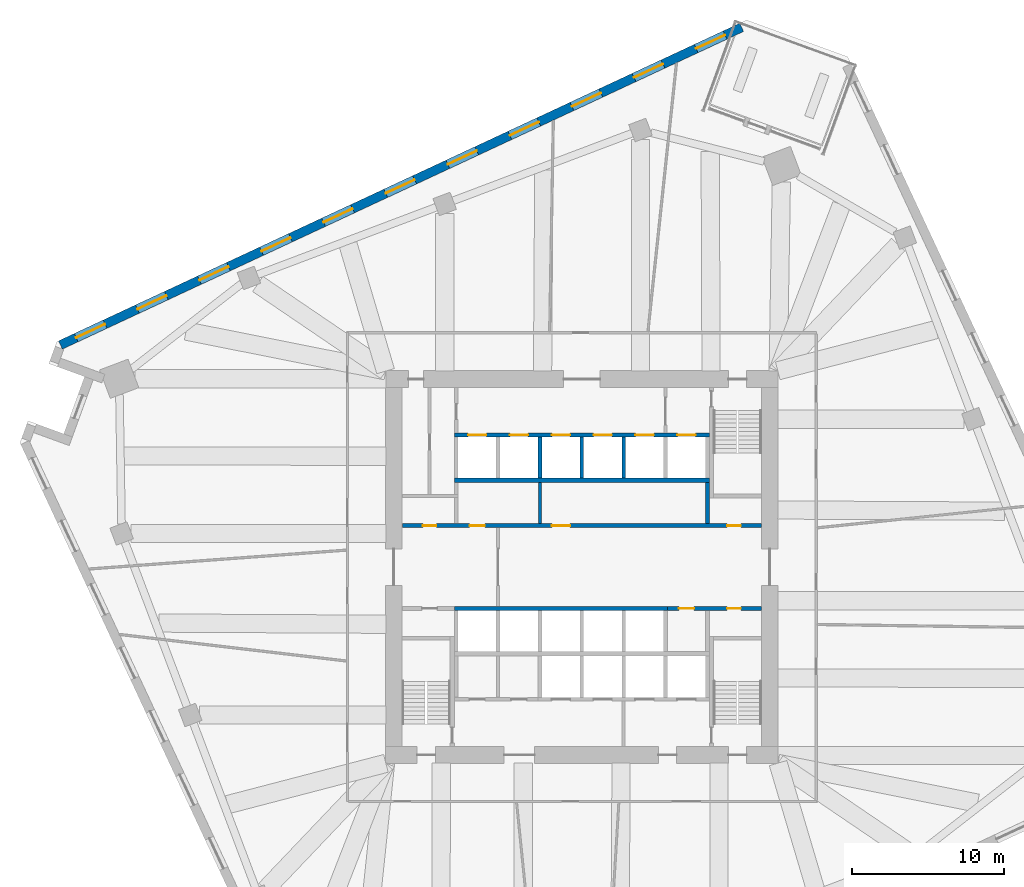
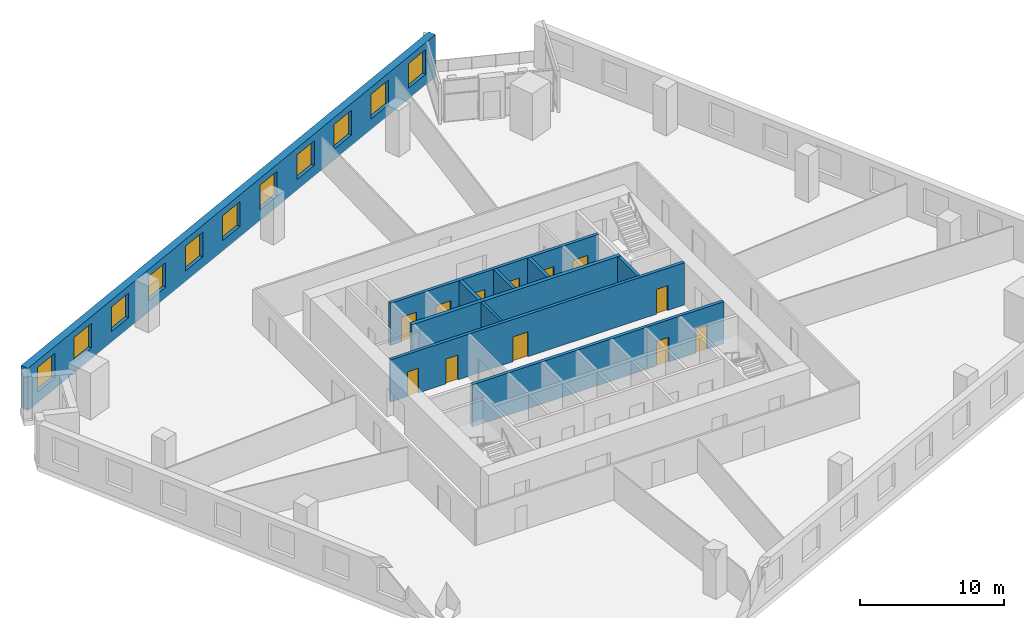
# One storey, part 8 of 12: 12 doors, 11 walls, 11 windows, 23 openings.
"""IFC4 building model written with IfcOpenShell, lengths in metres."""

from ifc_helpers import new_model, si_unit, direction, frame, frame_2d, origin, place, context, subcontext, project, spatial, rectangle, extrude, material, layer, layer_set, type_object, element, fill, save


model = new_model("IFC4")

# Units and contexts
model_context = context("Model", 3, precision=1e-05, world=origin(), true_north=direction((0.0, 1.0)))
body_context = subcontext(model_context, "Body", "Model", "MODEL_VIEW")
ifc_project = project(units=[si_unit("LENGTHUNIT", "METRE"), si_unit("AREAUNIT", "SQUARE_METRE"), si_unit("VOLUMEUNIT", "CUBIC_METRE"), si_unit("PLANEANGLEUNIT", "RADIAN"), si_unit("MASSUNIT", "GRAM", prefix="KILO")], contexts=[model_context])

# Site, building, storey
site_placement = place(None, origin())
site = spatial("IfcSite", under=ifc_project, at=site_placement, CompositionType="ELEMENT")
building_placement = place(site_placement, origin())
building = spatial("IfcBuilding", under=site, at=building_placement, Name="Dilmun Exchange Tower", CompositionType="ELEMENT")
storey_placement = place(building_placement, frame((0.0, 0.0, 126.10009765625)))
storey = spatial("IfcBuildingStorey", under=building, at=storey_placement, Name="L29", CompositionType="ELEMENT", Elevation=126.10009765625)

# Wall
ifc_material_1 = material(Name="Concrete C40/50", Category="concrete")
ifc_layer_1 = layer(ifc_material_1, 0.199951171875)
ifc_layer_set_1 = layer_set([ifc_layer_1], Name="Concrete C40/50")
wall_type_1 = type_object("IfcWallType", Name="Core partition wall 200", PredefinedType="PARTITIONING", material=ifc_layer_set_1)
wall_1_placement = place(storey_placement, frame((-2.75, 2.85498046875, 0.0), z_axis=(0.0, 0.0, 1.0), x_axis=(0.0, 1.0, 0.0)))
element("IfcWall", 1, at=wall_1_placement, inside=storey, type_object=wall_type_1, Name="L29 core partition wall 11", PredefinedType="PARTITIONING", context=body_context, shape_type="SweptSolid", body=[
    extrude(rectangle(XDim=2.68994140625, YDim=0.199951171875, at=frame_2d((1.344970703125, 0.0))), origin(), (0.0, 0.0, 1.0), 3.579833984375),
])

# Wall, openings, doors
ifc_layer_2 = layer(ifc_material_1, 0.25)
ifc_layer_set_2 = layer_set([ifc_layer_2], Name="Concrete C40/50")
wall_type_2 = type_object("IfcWallType", Name="Core partition wall 250", PredefinedType="PARTITIONING", material=ifc_layer_set_2)
wall_2_placement = place(storey_placement, frame((5.6298828125, -2.72509765625, 0.0), z_axis=(0.0, 0.0, 1.0), x_axis=(1.0, 0.0, 0.0)))
wall_2 = element("IfcWall", 2, at=wall_2_placement, inside=storey, type_object=wall_type_2, Name="L29 core partition wall 07", PredefinedType="PARTITIONING", context=body_context, shape_type="SweptSolid", body=[
    extrude(rectangle(XDim=6.1650390625, YDim=0.25, at=frame_2d((3.08251953125, 0.0))), origin(), (0.0, 0.0, 1.0), 3.579833984375),
])
opening_1_placement = place(wall_2_placement, frame((0.7451171875, 0.0, 0.0)))
opening_1 = element("IfcOpeningElement", 3, at=opening_1_placement, cuts=wall_2, Name="Opening CD4", PredefinedType="OPENING", context=body_context, shape_type="SweptSolid", body=[
    extrude(rectangle(XDim=1.0, YDim=2.10009765625, at=frame_2d((0.5, 1.050048828125))), frame((0.0, 0.135009765625, 0.0), z_axis=(0.0, -1.0, 0.0), x_axis=(1.0, 0.0, 0.0)), (0.0, 0.0, 1.0), 0.27001953125),
])
opening_2_placement = place(wall_2_placement, frame((3.919921875, 0.0, 0.0)))
opening_2 = element("IfcOpeningElement", 4, at=opening_2_placement, cuts=wall_2, Name="Opening CD6", PredefinedType="OPENING", context=body_context, shape_type="SweptSolid", body=[
    extrude(rectangle(XDim=0.89990234375, YDim=2.10009765625, at=frame_2d((0.449951171875, 1.050048828125))), frame((0.0, 0.135009765625, 0.0), z_axis=(0.0, -1.0, 0.0), x_axis=(1.0, 0.0, 0.0)), (0.0, 0.0, 1.0), 0.27001953125),
])
ifc_material_2 = material(Name="Fire-rated steel door set", Category="steel")
door_type_1 = type_object("IfcDoorType", Name="Core room door 1000x2100", OperationType="SINGLE_SWING_LEFT", PredefinedType="DOOR", material=ifc_material_2)
door_1_placement = place(opening_1_placement, origin())
door_1 = element("IfcDoor", 5, at=door_1_placement, inside=storey, type_object=door_type_1, Name="L29 door Cleaners' store", OperationType="SINGLE_SWING_RIGHT", OverallHeight=2.10009765625, OverallWidth=1.0, PredefinedType="DOOR", context=body_context, shape_type="SweptSolid", body=[
    extrude(rectangle(XDim=1.0, YDim=2.10009765625, at=frame_2d((0.5, 1.050048828125))), frame((0.0, 0.02490234375, 0.0), z_axis=(0.0, -1.0, 0.0), x_axis=(1.0, 0.0, 0.0)), (0.0, 0.0, 1.0), 0.050048828125),
])
fill(opening_1, door_1)
door_type_2 = type_object("IfcDoorType", Name="Core room door 900x2100", OperationType="SINGLE_SWING_LEFT", PredefinedType="DOOR", material=ifc_material_2)
door_2_placement = place(opening_2_placement, origin())
door_2 = element("IfcDoor", 6, at=door_2_placement, inside=storey, type_object=door_type_2, Name="L29 door Comms riser", OperationType="SINGLE_SWING_RIGHT", OverallHeight=2.10009765625, OverallWidth=0.89990234375, PredefinedType="DOOR", context=body_context, shape_type="SweptSolid", body=[
    extrude(rectangle(XDim=0.89990234375, YDim=2.10009765625, at=frame_2d((0.449951171875, 1.050048828125))), frame((0.0, 0.02490234375, 0.0), z_axis=(0.0, -1.0, 0.0), x_axis=(1.0, 0.0, 0.0)), (0.0, 0.0, 1.0), 0.050048828125),
])
fill(opening_2, door_2)

wall_3_placement = place(storey_placement, frame((-11.794921875, 2.72509765625, 0.0), z_axis=(0.0, 0.0, 1.0), x_axis=(1.0, 0.0, 0.0)))
wall_3 = element("IfcWall", 7, at=wall_3_placement, inside=storey, type_object=wall_type_2, Name="L29 core partition wall 09", PredefinedType="PARTITIONING", context=body_context, shape_type="SweptSolid", body=[
    extrude(rectangle(XDim=23.58984375, YDim=0.25, at=frame_2d((11.794921875, 0.0))), origin(), (0.0, 0.0, 1.0), 3.579833984375),
])
opening_3_placement = place(wall_3_placement, frame((21.344970703125, 0.0, 0.0)))
opening_3 = element("IfcOpeningElement", 8, at=opening_3_placement, cuts=wall_3, Name="Opening CD6", PredefinedType="OPENING", context=body_context, shape_type="SweptSolid", body=[
    extrude(rectangle(XDim=0.89990234375, YDim=2.10009765625, at=frame_2d((0.449951171875, 1.050048828125))), frame((0.0, 0.135009765625, 0.0), z_axis=(0.0, -1.0, 0.0), x_axis=(1.0, 0.0, 0.0)), (0.0, 0.0, 1.0), 0.27001953125),
])
opening_4_placement = place(wall_3_placement, frame((1.344970703125, 0.0, 0.0)))
opening_4 = element("IfcOpeningElement", 9, at=opening_4_placement, cuts=wall_3, Name="Opening CD6", PredefinedType="OPENING", context=body_context, shape_type="SweptSolid", body=[
    extrude(rectangle(XDim=0.89990234375, YDim=2.10009765625, at=frame_2d((0.449951171875, 1.050048828125))), frame((0.0, 0.135009765625, 0.0), z_axis=(0.0, -1.0, 0.0), x_axis=(1.0, 0.0, 0.0)), (0.0, 0.0, 1.0), 0.27001953125),
])
opening_5_placement = place(wall_3_placement, frame((4.419921875, 0.0, 0.0)))
opening_5 = element("IfcOpeningElement", 10, at=opening_5_placement, cuts=wall_3, Name="Opening CD4", PredefinedType="OPENING", context=body_context, shape_type="SweptSolid", body=[
    extrude(rectangle(XDim=1.0, YDim=2.10009765625, at=frame_2d((0.5, 1.050048828125))), frame((0.0, 0.135009765625, 0.0), z_axis=(0.0, -1.0, 0.0), x_axis=(1.0, 0.0, 0.0)), (0.0, 0.0, 1.0), 0.27001953125),
])
opening_6_placement = place(wall_3_placement, frame((9.820068359375, 0.0, 0.0)))
opening_6 = element("IfcOpeningElement", 11, at=opening_6_placement, cuts=wall_3, Name="Opening CD3", PredefinedType="OPENING", context=body_context, shape_type="SweptSolid", body=[
    extrude(rectangle(XDim=1.199951171875, YDim=2.10009765625, at=frame_2d((0.60009765625, 1.050048828125))), frame((0.0, 0.135009765625, 0.0), z_axis=(0.0, -1.0, 0.0), x_axis=(1.0, 0.0, 0.0)), (0.0, 0.0, 1.0), 0.27001953125),
])
door_3_placement = place(opening_5_placement, origin())
door_3 = element("IfcDoor", 12, at=door_3_placement, inside=storey, type_object=door_type_1, Name="L29 door Tenant services room", OperationType="SINGLE_SWING_RIGHT", OverallHeight=2.10009765625, OverallWidth=1.0, PredefinedType="DOOR", context=body_context, shape_type="SweptSolid", body=[
    extrude(rectangle(XDim=1.0, YDim=2.10009765625, at=frame_2d((0.5, 1.050048828125))), frame((0.0, 0.02490234375, 0.0), z_axis=(0.0, -1.0, 0.0), x_axis=(1.0, 0.0, 0.0)), (0.0, 0.0, 1.0), 0.050048828125),
])
fill(opening_5, door_3)
door_4_placement = place(opening_3_placement, origin())
door_4 = element("IfcDoor", 13, at=door_4_placement, inside=storey, type_object=door_type_2, Name="L29 door Electrical riser", OperationType="SINGLE_SWING_RIGHT", OverallHeight=2.10009765625, OverallWidth=0.89990234375, PredefinedType="DOOR", context=body_context, shape_type="SweptSolid", body=[
    extrude(rectangle(XDim=0.89990234375, YDim=2.10009765625, at=frame_2d((0.449951171875, 1.050048828125))), frame((0.0, 0.02490234375, 0.0), z_axis=(0.0, -1.0, 0.0), x_axis=(1.0, 0.0, 0.0)), (0.0, 0.0, 1.0), 0.050048828125),
])
fill(opening_3, door_4)
door_5_placement = place(opening_4_placement, origin())
door_5 = element("IfcDoor", 14, at=door_5_placement, inside=storey, type_object=door_type_2, Name="L29 door Plumbing riser", OperationType="SINGLE_SWING_RIGHT", OverallHeight=2.10009765625, OverallWidth=0.89990234375, PredefinedType="DOOR", context=body_context, shape_type="SweptSolid", body=[
    extrude(rectangle(XDim=0.89990234375, YDim=2.10009765625, at=frame_2d((0.449951171875, 1.050048828125))), frame((0.0, 0.02490234375, 0.0), z_axis=(0.0, -1.0, 0.0), x_axis=(1.0, 0.0, 0.0)), (0.0, 0.0, 1.0), 0.050048828125),
])
fill(opening_4, door_5)
door_type_3 = type_object("IfcDoorType", Name="Stair exit door 1200x2100", OperationType="SINGLE_SWING_LEFT", PredefinedType="DOOR", material=ifc_material_2)
door_6_placement = place(opening_6_placement, origin())
door_6 = element("IfcDoor", 15, at=door_6_placement, inside=storey, type_object=door_type_3, Name="L29 door Tenant amenity store", OperationType="SINGLE_SWING_LEFT", OverallHeight=2.10009765625, OverallWidth=1.199951171875, PredefinedType="DOOR", context=body_context, shape_type="SweptSolid", body=[
    extrude(rectangle(XDim=1.199951171875, YDim=2.10009765625, at=frame_2d((0.60009765625, 1.050048828125))), frame((0.0, 0.02490234375, 0.0), z_axis=(0.0, -1.0, 0.0), x_axis=(1.0, 0.0, 0.0)), (0.0, 0.0, 1.0), 0.050048828125),
])
fill(opening_6, door_6)

# Walls
wall_4_placement = place(storey_placement, frame((8.25, 2.85498046875, 0.0), z_axis=(0.0, 0.0, 1.0), x_axis=(0.0, 1.0, 0.0)))
element("IfcWall", 16, at=wall_4_placement, inside=storey, type_object=wall_type_2, Name="L29 core partition wall 12", PredefinedType="PARTITIONING", context=body_context, shape_type="SweptSolid", body=[
    extrude(rectangle(XDim=2.68994140625, YDim=0.25, at=frame_2d((1.344970703125, 0.0))), origin(), (0.0, 0.0, 1.0), 3.579833984375),
])
ifc_layer_3 = layer(ifc_material_1, 0.300048828125)
ifc_layer_set_3 = layer_set([ifc_layer_3], Name="Concrete C40/50")
wall_type_3 = type_object("IfcWallType", Name="Lift shaft shared wall 300", PredefinedType="SOLIDWALL", material=ifc_layer_set_3)
wall_5_placement = place(storey_placement, frame((-8.375, 5.699951171875, 0.0), z_axis=(0.0, 0.0, 1.0), x_axis=(1.0, 0.0, 0.0)))
element("IfcWall", 17, at=wall_5_placement, inside=storey, type_object=wall_type_3, Name="L29 lift shaft rear wall N", PredefinedType="SOLIDWALL", context=body_context, shape_type="SweptSolid", body=[
    extrude(rectangle(XDim=16.75, YDim=0.300048828125, at=frame_2d((8.375, 0.0))), origin(), (0.0, 0.0, 1.0), 3.579833984375),
])

# Wall, openings, doors
ifc_layer_4 = layer(ifc_material_1, 0.25)
ifc_layer_set_4 = layer_set([ifc_layer_4], Name="Concrete C40/50")
wall_type_4 = type_object("IfcWallType", Name="Lift shaft wall 250", PredefinedType="SOLIDWALL", material=ifc_layer_set_4)
wall_6_placement = place(storey_placement, frame((-8.375, 8.675048828125, 0.0), z_axis=(0.0, 0.0, 1.0), x_axis=(1.0, 0.0, 0.0)))
wall_6 = element("IfcWall", 18, at=wall_6_placement, inside=storey, type_object=wall_type_4, Name="L29 lift shaft front wall N2", PredefinedType="SOLIDWALL", context=body_context, shape_type="SweptSolid", body=[
    extrude(rectangle(XDim=16.75, YDim=0.25, at=frame_2d((8.375, 0.0))), origin(), (0.0, 0.0, 1.0), 3.579833984375),
])
opening_7_placement = place(wall_6_placement, frame((0.89990234375, 0.0, 0.0)))
opening_7 = element("IfcOpeningElement", 19, at=opening_7_placement, cuts=wall_6, Name="Opening LD", PredefinedType="OPENING", context=body_context, shape_type="SweptSolid", body=[
    extrude(rectangle(XDim=1.199951171875, YDim=2.10009765625, at=frame_2d((0.60009765625, 1.050048828125))), frame((0.0, 0.135009765625, 0.0), z_axis=(0.0, -1.0, 0.0), x_axis=(1.0, 0.0, 0.0)), (0.0, 0.0, 1.0), 0.27001953125),
])
opening_8_placement = place(wall_6_placement, frame((3.64990234375, 0.0, 0.0)))
opening_8 = element("IfcOpeningElement", 20, at=opening_8_placement, cuts=wall_6, Name="Opening LD", PredefinedType="OPENING", context=body_context, shape_type="SweptSolid", body=[
    extrude(rectangle(XDim=1.199951171875, YDim=2.10009765625, at=frame_2d((0.60009765625, 1.050048828125))), frame((0.0, 0.135009765625, 0.0), z_axis=(0.0, -1.0, 0.0), x_axis=(1.0, 0.0, 0.0)), (0.0, 0.0, 1.0), 0.27001953125),
])
opening_9_placement = place(wall_6_placement, frame((6.39990234375, 0.0, 0.0)))
opening_9 = element("IfcOpeningElement", 21, at=opening_9_placement, cuts=wall_6, Name="Opening LD", PredefinedType="OPENING", context=body_context, shape_type="SweptSolid", body=[
    extrude(rectangle(XDim=1.199951171875, YDim=2.10009765625, at=frame_2d((0.60009765625, 1.050048828125))), frame((0.0, 0.135009765625, 0.0), z_axis=(0.0, -1.0, 0.0), x_axis=(1.0, 0.0, 0.0)), (0.0, 0.0, 1.0), 0.27001953125),
])
opening_10_placement = place(wall_6_placement, frame((9.14990234375, 0.0, 0.0)))
opening_10 = element("IfcOpeningElement", 22, at=opening_10_placement, cuts=wall_6, Name="Opening LD", PredefinedType="OPENING", context=body_context, shape_type="SweptSolid", body=[
    extrude(rectangle(XDim=1.199951171875, YDim=2.10009765625, at=frame_2d((0.60009765625, 1.050048828125))), frame((0.0, 0.135009765625, 0.0), z_axis=(0.0, -1.0, 0.0), x_axis=(1.0, 0.0, 0.0)), (0.0, 0.0, 1.0), 0.27001953125),
])
opening_11_placement = place(wall_6_placement, frame((11.89990234375, 0.0, 0.0)))
opening_11 = element("IfcOpeningElement", 23, at=opening_11_placement, cuts=wall_6, Name="Opening LD", PredefinedType="OPENING", context=body_context, shape_type="SweptSolid", body=[
    extrude(rectangle(XDim=1.199951171875, YDim=2.10009765625, at=frame_2d((0.60009765625, 1.050048828125))), frame((0.0, 0.135009765625, 0.0), z_axis=(0.0, -1.0, 0.0), x_axis=(1.0, 0.0, 0.0)), (0.0, 0.0, 1.0), 0.27001953125),
])
opening_12_placement = place(wall_6_placement, frame((14.64990234375, 0.0, 0.0)))
opening_12 = element("IfcOpeningElement", 24, at=opening_12_placement, cuts=wall_6, Name="Opening LD", PredefinedType="OPENING", context=body_context, shape_type="SweptSolid", body=[
    extrude(rectangle(XDim=1.199951171875, YDim=2.10009765625, at=frame_2d((0.60009765625, 1.050048828125))), frame((0.0, 0.135009765625, 0.0), z_axis=(0.0, -1.0, 0.0), x_axis=(1.0, 0.0, 0.0)), (0.0, 0.0, 1.0), 0.27001953125),
])
door_type_4 = type_object("IfcDoorType", Name="Lift landing door 1200x2100", OperationType="DOUBLE_DOOR_SLIDING", PredefinedType="DOOR", material=ifc_material_2)
door_7_placement = place(opening_7_placement, origin())
door_7 = element("IfcDoor", 25, at=door_7_placement, inside=storey, type_object=door_type_4, Name="L29 landing door LR1", OperationType="DOUBLE_DOOR_SLIDING", OverallHeight=2.10009765625, OverallWidth=1.199951171875, PredefinedType="DOOR", context=body_context, shape_type="SweptSolid", body=[
    extrude(rectangle(XDim=1.199951171875, YDim=2.10009765625, at=frame_2d((0.60009765625, 1.050048828125))), frame((0.0, 0.02490234375, 0.0), z_axis=(0.0, -1.0, 0.0), x_axis=(1.0, 0.0, 0.0)), (0.0, 0.0, 1.0), 0.050048828125),
])
fill(opening_7, door_7)
door_8_placement = place(opening_8_placement, origin())
door_8 = element("IfcDoor", 26, at=door_8_placement, inside=storey, type_object=door_type_4, Name="L29 landing door LR2", OperationType="DOUBLE_DOOR_SLIDING", OverallHeight=2.10009765625, OverallWidth=1.199951171875, PredefinedType="DOOR", context=body_context, shape_type="SweptSolid", body=[
    extrude(rectangle(XDim=1.199951171875, YDim=2.10009765625, at=frame_2d((0.60009765625, 1.050048828125))), frame((0.0, 0.02490234375, 0.0), z_axis=(0.0, -1.0, 0.0), x_axis=(1.0, 0.0, 0.0)), (0.0, 0.0, 1.0), 0.050048828125),
])
fill(opening_8, door_8)
door_9_placement = place(opening_9_placement, origin())
door_9 = element("IfcDoor", 27, at=door_9_placement, inside=storey, type_object=door_type_4, Name="L29 landing door LR3", OperationType="DOUBLE_DOOR_SLIDING", OverallHeight=2.10009765625, OverallWidth=1.199951171875, PredefinedType="DOOR", context=body_context, shape_type="SweptSolid", body=[
    extrude(rectangle(XDim=1.199951171875, YDim=2.10009765625, at=frame_2d((0.60009765625, 1.050048828125))), frame((0.0, 0.02490234375, 0.0), z_axis=(0.0, -1.0, 0.0), x_axis=(1.0, 0.0, 0.0)), (0.0, 0.0, 1.0), 0.050048828125),
])
fill(opening_9, door_9)
door_10_placement = place(opening_10_placement, origin())
door_10 = element("IfcDoor", 28, at=door_10_placement, inside=storey, type_object=door_type_4, Name="L29 landing door LR4", OperationType="DOUBLE_DOOR_SLIDING", OverallHeight=2.10009765625, OverallWidth=1.199951171875, PredefinedType="DOOR", context=body_context, shape_type="SweptSolid", body=[
    extrude(rectangle(XDim=1.199951171875, YDim=2.10009765625, at=frame_2d((0.60009765625, 1.050048828125))), frame((0.0, 0.02490234375, 0.0), z_axis=(0.0, -1.0, 0.0), x_axis=(1.0, 0.0, 0.0)), (0.0, 0.0, 1.0), 0.050048828125),
])
fill(opening_10, door_10)
door_11_placement = place(opening_11_placement, origin())
door_11 = element("IfcDoor", 29, at=door_11_placement, inside=storey, type_object=door_type_4, Name="L29 landing door LR5", OperationType="DOUBLE_DOOR_SLIDING", OverallHeight=2.10009765625, OverallWidth=1.199951171875, PredefinedType="DOOR", context=body_context, shape_type="SweptSolid", body=[
    extrude(rectangle(XDim=1.199951171875, YDim=2.10009765625, at=frame_2d((0.60009765625, 1.050048828125))), frame((0.0, 0.02490234375, 0.0), z_axis=(0.0, -1.0, 0.0), x_axis=(1.0, 0.0, 0.0)), (0.0, 0.0, 1.0), 0.050048828125),
])
fill(opening_11, door_11)
door_12_placement = place(opening_12_placement, origin())
door_12 = element("IfcDoor", 30, at=door_12_placement, inside=storey, type_object=door_type_4, Name="L29 landing door LR6", OperationType="DOUBLE_DOOR_SLIDING", OverallHeight=2.10009765625, OverallWidth=1.199951171875, PredefinedType="DOOR", context=body_context, shape_type="SweptSolid", body=[
    extrude(rectangle(XDim=1.199951171875, YDim=2.10009765625, at=frame_2d((0.60009765625, 1.050048828125))), frame((0.0, 0.02490234375, 0.0), z_axis=(0.0, -1.0, 0.0), x_axis=(1.0, 0.0, 0.0)), (0.0, 0.0, 1.0), 0.050048828125),
])
fill(opening_12, door_12)

# Walls
for number, where, z_axis, x_axis, name in (
    (31, (-2.75, 5.85009765625, 0.0), (0.0, 0.0, 1.0), (0.0, 1.0, 0.0), "L29 lift shaft divider N22"),
    (32, (0.0, 5.85009765625, 0.0), (0.0, 0.0, 1.0), (0.0, 1.0, 0.0), "L29 lift shaft divider N23"),
    (33, (2.75, 5.85009765625, 0.0), (0.0, 0.0, 1.0), (0.0, 1.0, 0.0), "L29 lift shaft divider N24"),
):
    element("IfcWall", number, at=place(storey_placement, frame(where, z_axis=z_axis, x_axis=x_axis)), inside=storey, type_object=wall_type_4, Name=name, PredefinedType="SOLIDWALL", context=body_context, shape_type="SweptSolid", body=[
        extrude(rectangle(XDim=2.699951171875, YDim=0.25, at=frame_2d((1.35009765625, 0.0))), origin(), (0.0, 0.0, 1.0), 3.579833984375),
    ])
wall_7_placement = place(storey_placement, frame((-8.375, -2.72509765625, 0.0), z_axis=(0.0, 0.0, 1.0), x_axis=(1.0, 0.0, 0.0)))
element("IfcWall", 34, at=wall_7_placement, inside=storey, type_object=wall_type_4, Name="L29 lift shaft front wall S1", PredefinedType="SOLIDWALL", context=body_context, shape_type="SweptSolid", body=[
    extrude(rectangle(XDim=14.0, YDim=0.25, at=frame_2d((7.0, 0.0))), origin(), (0.0, 0.0, 1.0), 3.579833984375),
])

# Wall, openings, windows
ifc_material_3 = material(Name="Precast concrete C50/60", Category="concrete")
ifc_layer_5 = layer(ifc_material_3, 0.60009765625)
ifc_layer_set_5 = layer_set([ifc_layer_5], Name="Precast concrete C50/60")
wall_type_5 = type_object("IfcWallType", Name="Precast stone-clad wall 600", PredefinedType="STANDARD", material=ifc_layer_set_5)
wall_8_placement = place(storey_placement, frame((10.498046875, 35.458984375, 0.0), z_axis=(0.0, 0.0, 1.0), x_axis=(-0.906307526065, -0.422618821396, 0.0)))
wall_8 = element("IfcWall", 35, at=wall_8_placement, inside=storey, type_object=wall_type_5, Name="Facade wall L29-03", PredefinedType="STANDARD", context=body_context, shape_type="SweptSolid", body=[
    extrude(rectangle(XDim=49.3759765625, YDim=0.60009765625, at=frame_2d((24.68798828125, 0.0))), origin(), (0.0, 0.0, 1.0), 3.579833984375),
])
opening_13_placement = place(wall_8_placement, frame((1.199951171875, 0.0, 0.89990234375)))
opening_13 = element("IfcOpeningElement", 36, at=opening_13_placement, cuts=wall_8, Name="Opening W210-210", PredefinedType="OPENING", context=body_context, shape_type="SweptSolid", body=[
    extrude(rectangle(XDim=2.10009765625, YDim=2.10009765625, at=frame_2d((1.050048828125, 1.050048828125))), frame((0.0, 0.31005859375, 0.0), z_axis=(0.0, -1.0, 0.0), x_axis=(1.0, 0.0, 0.0)), (0.0, 0.0, 1.0), 0.6201171875),
])
opening_14_placement = place(wall_8_placement, frame((5.699951171875, 0.0, 0.89990234375)))
opening_14 = element("IfcOpeningElement", 37, at=opening_14_placement, cuts=wall_8, Name="Opening W210-210", PredefinedType="OPENING", context=body_context, shape_type="SweptSolid", body=[
    extrude(rectangle(XDim=2.10009765625, YDim=2.10009765625, at=frame_2d((1.050048828125, 1.050048828125))), frame((0.0, 0.31005859375, 0.0), z_axis=(0.0, -1.0, 0.0), x_axis=(1.0, 0.0, 0.0)), (0.0, 0.0, 1.0), 0.6201171875),
])
opening_15_placement = place(wall_8_placement, frame((10.199951171875, 0.0, 0.89990234375)))
opening_15 = element("IfcOpeningElement", 38, at=opening_15_placement, cuts=wall_8, Name="Opening W210-210", PredefinedType="OPENING", context=body_context, shape_type="SweptSolid", body=[
    extrude(rectangle(XDim=2.10009765625, YDim=2.10009765625, at=frame_2d((1.050048828125, 1.050048828125))), frame((0.0, 0.31005859375, 0.0), z_axis=(0.0, -1.0, 0.0), x_axis=(1.0, 0.0, 0.0)), (0.0, 0.0, 1.0), 0.6201171875),
])
opening_16_placement = place(wall_8_placement, frame((14.699951171875, 0.0, 0.89990234375)))
opening_16 = element("IfcOpeningElement", 39, at=opening_16_placement, cuts=wall_8, Name="Opening W210-210", PredefinedType="OPENING", context=body_context, shape_type="SweptSolid", body=[
    extrude(rectangle(XDim=2.10009765625, YDim=2.10009765625, at=frame_2d((1.050048828125, 1.050048828125))), frame((0.0, 0.31005859375, 0.0), z_axis=(0.0, -1.0, 0.0), x_axis=(1.0, 0.0, 0.0)), (0.0, 0.0, 1.0), 0.6201171875),
])
opening_17_placement = place(wall_8_placement, frame((19.199951171875, 0.0, 0.89990234375)))
opening_17 = element("IfcOpeningElement", 40, at=opening_17_placement, cuts=wall_8, Name="Opening W210-210", PredefinedType="OPENING", context=body_context, shape_type="SweptSolid", body=[
    extrude(rectangle(XDim=2.10009765625, YDim=2.10009765625, at=frame_2d((1.050048828125, 1.050048828125))), frame((0.0, 0.31005859375, 0.0), z_axis=(0.0, -1.0, 0.0), x_axis=(1.0, 0.0, 0.0)), (0.0, 0.0, 1.0), 0.6201171875),
])
opening_18_placement = place(wall_8_placement, frame((23.699951171875, 0.0, 0.89990234375)))
opening_18 = element("IfcOpeningElement", 41, at=opening_18_placement, cuts=wall_8, Name="Opening W210-210", PredefinedType="OPENING", context=body_context, shape_type="SweptSolid", body=[
    extrude(rectangle(XDim=2.10009765625, YDim=2.10009765625, at=frame_2d((1.050048828125, 1.050048828125))), frame((0.0, 0.31005859375, 0.0), z_axis=(0.0, -1.0, 0.0), x_axis=(1.0, 0.0, 0.0)), (0.0, 0.0, 1.0), 0.6201171875),
])
opening_19_placement = place(wall_8_placement, frame((28.199951171875, 0.0, 0.89990234375)))
opening_19 = element("IfcOpeningElement", 42, at=opening_19_placement, cuts=wall_8, Name="Opening W210-210", PredefinedType="OPENING", context=body_context, shape_type="SweptSolid", body=[
    extrude(rectangle(XDim=2.10009765625, YDim=2.10009765625, at=frame_2d((1.050048828125, 1.050048828125))), frame((0.0, 0.31005859375, 0.0), z_axis=(0.0, -1.0, 0.0), x_axis=(1.0, 0.0, 0.0)), (0.0, 0.0, 1.0), 0.6201171875),
])
opening_20_placement = place(wall_8_placement, frame((32.699951171875, 0.0, 0.89990234375)))
opening_20 = element("IfcOpeningElement", 43, at=opening_20_placement, cuts=wall_8, Name="Opening W210-210", PredefinedType="OPENING", context=body_context, shape_type="SweptSolid", body=[
    extrude(rectangle(XDim=2.10009765625, YDim=2.10009765625, at=frame_2d((1.050048828125, 1.050048828125))), frame((0.0, 0.31005859375, 0.0), z_axis=(0.0, -1.0, 0.0), x_axis=(1.0, 0.0, 0.0)), (0.0, 0.0, 1.0), 0.6201171875),
])
opening_21_placement = place(wall_8_placement, frame((37.199951171875, 0.0, 0.89990234375)))
opening_21 = element("IfcOpeningElement", 44, at=opening_21_placement, cuts=wall_8, Name="Opening W210-210", PredefinedType="OPENING", context=body_context, shape_type="SweptSolid", body=[
    extrude(rectangle(XDim=2.10009765625, YDim=2.10009765625, at=frame_2d((1.050048828125, 1.050048828125))), frame((0.0, 0.31005859375, 0.0), z_axis=(0.0, -1.0, 0.0), x_axis=(1.0, 0.0, 0.0)), (0.0, 0.0, 1.0), 0.6201171875),
])
opening_22_placement = place(wall_8_placement, frame((41.699951171875, 0.0, 0.89990234375)))
opening_22 = element("IfcOpeningElement", 45, at=opening_22_placement, cuts=wall_8, Name="Opening W210-210", PredefinedType="OPENING", context=body_context, shape_type="SweptSolid", body=[
    extrude(rectangle(XDim=2.10009765625, YDim=2.10009765625, at=frame_2d((1.050048828125, 1.050048828125))), frame((0.0, 0.31005859375, 0.0), z_axis=(0.0, -1.0, 0.0), x_axis=(1.0, 0.0, 0.0)), (0.0, 0.0, 1.0), 0.6201171875),
])
opening_23_placement = place(wall_8_placement, frame((46.137939453125, 0.0, 0.89990234375)))
opening_23 = element("IfcOpeningElement", 46, at=opening_23_placement, cuts=wall_8, Name="Opening W210-210", PredefinedType="OPENING", context=body_context, shape_type="SweptSolid", body=[
    extrude(rectangle(XDim=2.10009765625, YDim=2.10009765625, at=frame_2d((1.050048828125, 1.050048828125))), frame((0.0, 0.31005859375, 0.0), z_axis=(0.0, -1.0, 0.0), x_axis=(1.0, 0.0, 0.0)), (0.0, 0.0, 1.0), 0.6201171875),
])
ifc_material_4 = material(Name="Clear low-emissivity glass in aluminium frame", Category="aluminium")
window_type = type_object("IfcWindowType", Name="Punched window 2100 x 2100", PartitioningType="DOUBLE_PANEL_VERTICAL", PredefinedType="WINDOW", material=ifc_material_4)
window_1_placement = place(opening_13_placement, origin())
window_1 = element("IfcWindow", 47, at=window_1_placement, inside=storey, type_object=window_type, Name="Window 4.1", OverallHeight=2.10009765625, OverallWidth=2.10009765625, PartitioningType="SINGLE_PANEL", PredefinedType="WINDOW", context=body_context, shape_type="SweptSolid", body=[
    extrude(rectangle(XDim=2.10009765625, YDim=2.10009765625, at=frame_2d((1.050048828125, 1.050048828125))), frame((0.0, 0.030029296875, 0.0), z_axis=(0.0, -1.0, 0.0), x_axis=(1.0, 0.0, 0.0)), (0.0, 0.0, 1.0), 0.06005859375),
])
fill(opening_13, window_1)
window_2_placement = place(opening_14_placement, origin())
window_2 = element("IfcWindow", 48, at=window_2_placement, inside=storey, type_object=window_type, Name="Window 4.2", OverallHeight=2.10009765625, OverallWidth=2.10009765625, PartitioningType="SINGLE_PANEL", PredefinedType="WINDOW", context=body_context, shape_type="SweptSolid", body=[
    extrude(rectangle(XDim=2.10009765625, YDim=2.10009765625, at=frame_2d((1.050048828125, 1.050048828125))), frame((0.0, 0.030029296875, 0.0), z_axis=(0.0, -1.0, 0.0), x_axis=(1.0, 0.0, 0.0)), (0.0, 0.0, 1.0), 0.06005859375),
])
fill(opening_14, window_2)
window_3_placement = place(opening_15_placement, origin())
window_3 = element("IfcWindow", 49, at=window_3_placement, inside=storey, type_object=window_type, Name="Window 4.3", OverallHeight=2.10009765625, OverallWidth=2.10009765625, PartitioningType="SINGLE_PANEL", PredefinedType="WINDOW", context=body_context, shape_type="SweptSolid", body=[
    extrude(rectangle(XDim=2.10009765625, YDim=2.10009765625, at=frame_2d((1.050048828125, 1.050048828125))), frame((0.0, 0.030029296875, 0.0), z_axis=(0.0, -1.0, 0.0), x_axis=(1.0, 0.0, 0.0)), (0.0, 0.0, 1.0), 0.06005859375),
])
fill(opening_15, window_3)
window_4_placement = place(opening_16_placement, origin())
window_4 = element("IfcWindow", 50, at=window_4_placement, inside=storey, type_object=window_type, Name="Window 4.4", OverallHeight=2.10009765625, OverallWidth=2.10009765625, PartitioningType="SINGLE_PANEL", PredefinedType="WINDOW", context=body_context, shape_type="SweptSolid", body=[
    extrude(rectangle(XDim=2.10009765625, YDim=2.10009765625, at=frame_2d((1.050048828125, 1.050048828125))), frame((0.0, 0.030029296875, 0.0), z_axis=(0.0, -1.0, 0.0), x_axis=(1.0, 0.0, 0.0)), (0.0, 0.0, 1.0), 0.06005859375),
])
fill(opening_16, window_4)
window_5_placement = place(opening_17_placement, origin())
window_5 = element("IfcWindow", 51, at=window_5_placement, inside=storey, type_object=window_type, Name="Window 4.5", OverallHeight=2.10009765625, OverallWidth=2.10009765625, PartitioningType="SINGLE_PANEL", PredefinedType="WINDOW", context=body_context, shape_type="SweptSolid", body=[
    extrude(rectangle(XDim=2.10009765625, YDim=2.10009765625, at=frame_2d((1.050048828125, 1.050048828125))), frame((0.0, 0.030029296875, 0.0), z_axis=(0.0, -1.0, 0.0), x_axis=(1.0, 0.0, 0.0)), (0.0, 0.0, 1.0), 0.06005859375),
])
fill(opening_17, window_5)
window_6_placement = place(opening_18_placement, origin())
window_6 = element("IfcWindow", 52, at=window_6_placement, inside=storey, type_object=window_type, Name="Window 4.6", OverallHeight=2.10009765625, OverallWidth=2.10009765625, PartitioningType="SINGLE_PANEL", PredefinedType="WINDOW", context=body_context, shape_type="SweptSolid", body=[
    extrude(rectangle(XDim=2.10009765625, YDim=2.10009765625, at=frame_2d((1.050048828125, 1.050048828125))), frame((0.0, 0.030029296875, 0.0), z_axis=(0.0, -1.0, 0.0), x_axis=(1.0, 0.0, 0.0)), (0.0, 0.0, 1.0), 0.06005859375),
])
fill(opening_18, window_6)
window_7_placement = place(opening_19_placement, origin())
window_7 = element("IfcWindow", 53, at=window_7_placement, inside=storey, type_object=window_type, Name="Window 4.7", OverallHeight=2.10009765625, OverallWidth=2.10009765625, PartitioningType="SINGLE_PANEL", PredefinedType="WINDOW", context=body_context, shape_type="SweptSolid", body=[
    extrude(rectangle(XDim=2.10009765625, YDim=2.10009765625, at=frame_2d((1.050048828125, 1.050048828125))), frame((0.0, 0.030029296875, 0.0), z_axis=(0.0, -1.0, 0.0), x_axis=(1.0, 0.0, 0.0)), (0.0, 0.0, 1.0), 0.06005859375),
])
fill(opening_19, window_7)
window_8_placement = place(opening_20_placement, origin())
window_8 = element("IfcWindow", 54, at=window_8_placement, inside=storey, type_object=window_type, Name="Window 4.8", OverallHeight=2.10009765625, OverallWidth=2.10009765625, PartitioningType="SINGLE_PANEL", PredefinedType="WINDOW", context=body_context, shape_type="SweptSolid", body=[
    extrude(rectangle(XDim=2.10009765625, YDim=2.10009765625, at=frame_2d((1.050048828125, 1.050048828125))), frame((0.0, 0.030029296875, 0.0), z_axis=(0.0, -1.0, 0.0), x_axis=(1.0, 0.0, 0.0)), (0.0, 0.0, 1.0), 0.06005859375),
])
fill(opening_20, window_8)
window_9_placement = place(opening_21_placement, origin())
window_9 = element("IfcWindow", 55, at=window_9_placement, inside=storey, type_object=window_type, Name="Window 4.9", OverallHeight=2.10009765625, OverallWidth=2.10009765625, PartitioningType="SINGLE_PANEL", PredefinedType="WINDOW", context=body_context, shape_type="SweptSolid", body=[
    extrude(rectangle(XDim=2.10009765625, YDim=2.10009765625, at=frame_2d((1.050048828125, 1.050048828125))), frame((0.0, 0.030029296875, 0.0), z_axis=(0.0, -1.0, 0.0), x_axis=(1.0, 0.0, 0.0)), (0.0, 0.0, 1.0), 0.06005859375),
])
fill(opening_21, window_9)
window_10_placement = place(opening_22_placement, origin())
window_10 = element("IfcWindow", 56, at=window_10_placement, inside=storey, type_object=window_type, Name="Window 4.10", OverallHeight=2.10009765625, OverallWidth=2.10009765625, PartitioningType="SINGLE_PANEL", PredefinedType="WINDOW", context=body_context, shape_type="SweptSolid", body=[
    extrude(rectangle(XDim=2.10009765625, YDim=2.10009765625, at=frame_2d((1.050048828125, 1.050048828125))), frame((0.0, 0.030029296875, 0.0), z_axis=(0.0, -1.0, 0.0), x_axis=(1.0, 0.0, 0.0)), (0.0, 0.0, 1.0), 0.06005859375),
])
fill(opening_22, window_10)
window_11_placement = place(opening_23_placement, origin())
window_11 = element("IfcWindow", 57, at=window_11_placement, inside=storey, type_object=window_type, Name="Window 4.11", OverallHeight=2.10009765625, OverallWidth=2.10009765625, PartitioningType="SINGLE_PANEL", PredefinedType="WINDOW", context=body_context, shape_type="SweptSolid", body=[
    extrude(rectangle(XDim=2.10009765625, YDim=2.10009765625, at=frame_2d((1.050048828125, 1.050048828125))), frame((0.0, 0.030029296875, 0.0), z_axis=(0.0, -1.0, 0.0), x_axis=(1.0, 0.0, 0.0)), (0.0, 0.0, 1.0), 0.06005859375),
])
fill(opening_23, window_11)

save(model, "model.ifc")
